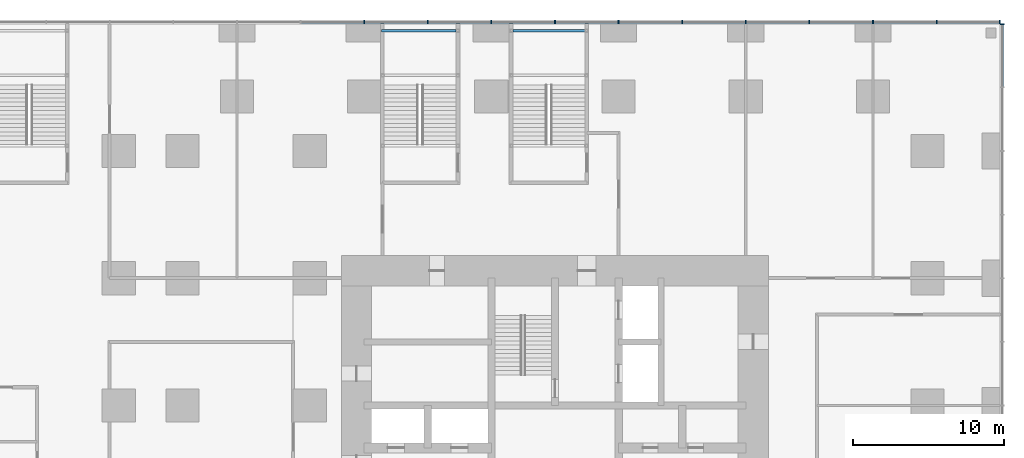
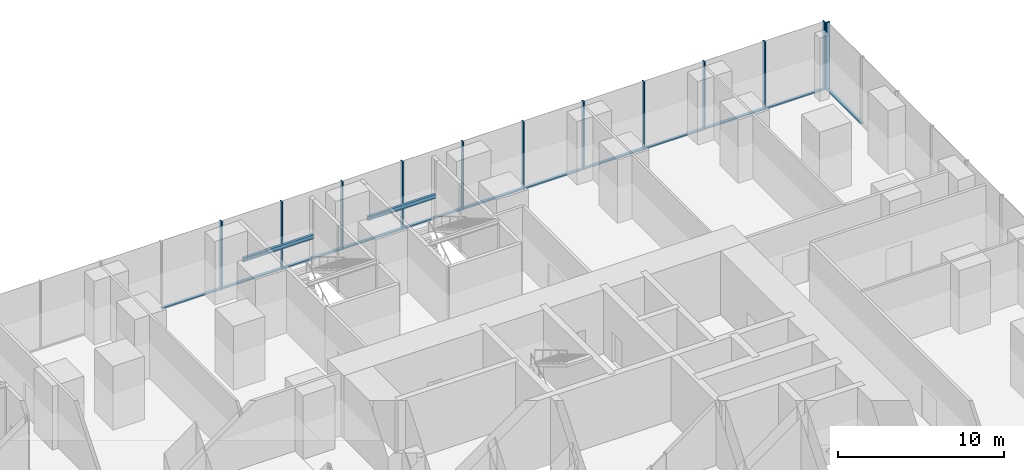
# One storey, part 22 of 33: 24 members, 2 beams, 2 elements without a shape of their own.
"""IFC4 building model written with IfcOpenShell, lengths in metres."""

from ifc_helpers import new_model, si_unit, direction, frame, origin, origin_2d, place, context, subcontext, project, spatial, rectangle, i_section, extrude, material, material_profile, profile_set, type_object, element, aggregate, save


model = new_model("IFC4")

# Units and contexts
model_context = context("Model", 3, precision=1e-05, world=origin(), true_north=direction((0.0, 1.0)))
body_context = subcontext(model_context, "Body", "Model", "MODEL_VIEW")
ifc_project = project(units=[si_unit("LENGTHUNIT", "METRE"), si_unit("AREAUNIT", "SQUARE_METRE"), si_unit("VOLUMEUNIT", "CUBIC_METRE"), si_unit("PLANEANGLEUNIT", "RADIAN"), si_unit("MASSUNIT", "GRAM", prefix="KILO")], contexts=[model_context])

# Site, building, storey
site_placement = place(None, origin())
site = spatial("IfcSite", under=ifc_project, at=site_placement, CompositionType="ELEMENT")
building_placement = place(site_placement, origin())
building = spatial("IfcBuilding", under=site, at=building_placement, Name="Dunama Terrace Hotel", CompositionType="ELEMENT")
storey_placement = place(building_placement, frame((0.0, 0.0, 12.0)))
storey = spatial("IfcBuildingStorey", under=building, at=storey_placement, Name="L02", CompositionType="ELEMENT", Elevation=12.0)

# Curtain wall, member
ifc_material_1 = material(Name="Aluminium curtain wall system", Category="aluminium")
curtain_wall_type = type_object("IfcCurtainWallType", Name="Podium storefront glazing CW-E", PredefinedType="NOTDEFINED", material=ifc_material_1)
curtain_wall_1_placement = place(storey_placement, origin())
curtain_wall_1 = element("IfcCurtainWall", 1, at=curtain_wall_1_placement, inside=storey, type_object=curtain_wall_type, Name="Podium storefront glazing CW-E L02", PredefinedType="NOTDEFINED")
ifc_material_2 = material(Name="Aluminium mullion", Category="aluminium")
ifc_material_profile_1 = material_profile(ifc_material_2, rectangle(XDim=0.080078125, YDim=0.25, at=origin_2d()), Name="CWE MULLION 80X250")
ifc_profile_set_1 = profile_set([ifc_material_profile_1], Name="Aluminium mullion")
member_type_1 = type_object("IfcMemberType", Name="CWE mullion 80x250", PredefinedType="MULLION", material=ifc_profile_set_1)
member_1_placement = place(storey_placement, frame((58.925048828125, 58.760009765625, 0.0), z_axis=(0.0, 0.0, 1.0), x_axis=(0.0, 1.0, 0.0)))
member_1 = element("IfcMember", 2, at=member_1_placement, type_object=member_type_1, Name="CWE mullion", PredefinedType="MULLION", context=body_context, shape_type="SweptSolid", body=[
    extrude(rectangle(XDim=0.080078125, YDim=0.25, at=origin_2d()), origin(), (0.0, 0.0, 1.0), 5.0),
])

# Curtain wall, members
curtain_wall_2_placement = place(storey_placement, origin())
curtain_wall_2 = element("IfcCurtainWall", 3, at=curtain_wall_2_placement, inside=storey, type_object=curtain_wall_type, Name="Podium storefront glazing CW-E L02", PredefinedType="NOTDEFINED")
member_2_placement = place(storey_placement, frame((58.760009765625, 58.925048828125, 0.0), z_axis=(0.0, 0.0, 1.0), x_axis=(-1.0, 0.0, 0.0)))
member_2 = element("IfcMember", 4, at=member_2_placement, type_object=member_type_1, Name="CWE mullion", PredefinedType="MULLION", context=body_context, shape_type="SweptSolid", body=[
    extrude(rectangle(XDim=0.080078125, YDim=0.25, at=origin_2d()), origin(), (0.0, 0.0, 1.0), 5.0),
])
member_3_placement = place(storey_placement, frame((54.60009765625, 58.925048828125, 0.0), z_axis=(0.0, 0.0, 1.0), x_axis=(-1.0, 0.0, 0.0)))
member_3 = element("IfcMember", 5, at=member_3_placement, type_object=member_type_1, Name="CWE mullion", PredefinedType="MULLION", context=body_context, shape_type="SweptSolid", body=[
    extrude(rectangle(XDim=0.080078125, YDim=0.25, at=origin_2d()), origin(), (0.0, 0.0, 1.0), 5.0),
])
member_4_placement = place(storey_placement, frame((50.39990234375, 58.925048828125, 0.0), z_axis=(0.0, 0.0, 1.0), x_axis=(-1.0, 0.0, 0.0)))
member_4 = element("IfcMember", 6, at=member_4_placement, type_object=member_type_1, Name="CWE mullion", PredefinedType="MULLION", context=body_context, shape_type="SweptSolid", body=[
    extrude(rectangle(XDim=0.080078125, YDim=0.25, at=origin_2d()), origin(), (0.0, 0.0, 1.0), 5.0),
])
member_5_placement = place(storey_placement, frame((46.199951171875, 58.925048828125, 0.0), z_axis=(0.0, 0.0, 1.0), x_axis=(-1.0, 0.0, 0.0)))
member_5 = element("IfcMember", 7, at=member_5_placement, type_object=member_type_1, Name="CWE mullion", PredefinedType="MULLION", context=body_context, shape_type="SweptSolid", body=[
    extrude(rectangle(XDim=0.080078125, YDim=0.25, at=origin_2d()), origin(), (0.0, 0.0, 1.0), 5.0),
])
member_6_placement = place(storey_placement, frame((42.0, 58.925048828125, 0.0), z_axis=(0.0, 0.0, 1.0), x_axis=(-1.0, 0.0, 0.0)))
member_6 = element("IfcMember", 8, at=member_6_placement, type_object=member_type_1, Name="CWE mullion", PredefinedType="MULLION", context=body_context, shape_type="SweptSolid", body=[
    extrude(rectangle(XDim=0.080078125, YDim=0.25, at=origin_2d()), origin(), (0.0, 0.0, 1.0), 5.0),
])
member_7_placement = place(storey_placement, frame((37.800048828125, 58.925048828125, 0.0), z_axis=(0.0, 0.0, 1.0), x_axis=(-1.0, 0.0, 0.0)))
member_7 = element("IfcMember", 9, at=member_7_placement, type_object=member_type_1, Name="CWE mullion", PredefinedType="MULLION", context=body_context, shape_type="SweptSolid", body=[
    extrude(rectangle(XDim=0.080078125, YDim=0.25, at=origin_2d()), origin(), (0.0, 0.0, 1.0), 5.0),
])
member_8_placement = place(storey_placement, frame((33.60009765625, 58.925048828125, 0.0), z_axis=(0.0, 0.0, 1.0), x_axis=(-1.0, 0.0, 0.0)))
member_8 = element("IfcMember", 10, at=member_8_placement, type_object=member_type_1, Name="CWE mullion", PredefinedType="MULLION", context=body_context, shape_type="SweptSolid", body=[
    extrude(rectangle(XDim=0.080078125, YDim=0.25, at=origin_2d()), origin(), (0.0, 0.0, 1.0), 5.0),
])
member_9_placement = place(storey_placement, frame((29.39990234375, 58.925048828125, 0.0), z_axis=(0.0, 0.0, 1.0), x_axis=(-1.0, 0.0, 0.0)))
member_9 = element("IfcMember", 11, at=member_9_placement, type_object=member_type_1, Name="CWE mullion", PredefinedType="MULLION", context=body_context, shape_type="SweptSolid", body=[
    extrude(rectangle(XDim=0.080078125, YDim=0.25, at=origin_2d()), origin(), (0.0, 0.0, 1.0), 5.0),
])
member_10_placement = place(storey_placement, frame((25.199951171875, 58.925048828125, 0.0), z_axis=(0.0, 0.0, 1.0), x_axis=(-1.0, 0.0, 0.0)))
member_10 = element("IfcMember", 12, at=member_10_placement, type_object=member_type_1, Name="CWE mullion", PredefinedType="MULLION", context=body_context, shape_type="SweptSolid", body=[
    extrude(rectangle(XDim=0.080078125, YDim=0.25, at=origin_2d()), origin(), (0.0, 0.0, 1.0), 5.0),
])
member_11_placement = place(storey_placement, frame((21.0, 58.925048828125, 0.0), z_axis=(0.0, 0.0, 1.0), x_axis=(-1.0, 0.0, 0.0)))
member_11 = element("IfcMember", 13, at=member_11_placement, type_object=member_type_1, Name="CWE mullion", PredefinedType="MULLION", context=body_context, shape_type="SweptSolid", body=[
    extrude(rectangle(XDim=0.080078125, YDim=0.25, at=origin_2d()), origin(), (0.0, 0.0, 1.0), 5.0),
])
member_12_placement = place(storey_placement, frame((16.800048828125, 58.925048828125, 0.0), z_axis=(0.0, 0.0, 1.0), x_axis=(-1.0, 0.0, 0.0)))
member_12 = element("IfcMember", 14, at=member_12_placement, type_object=member_type_1, Name="CWE mullion", PredefinedType="MULLION", context=body_context, shape_type="SweptSolid", body=[
    extrude(rectangle(XDim=0.080078125, YDim=0.25, at=origin_2d()), origin(), (0.0, 0.0, 1.0), 5.0),
])

# Member
ifc_material_3 = material(Name="Aluminium transom", Category="aluminium")
ifc_material_profile_2 = material_profile(ifc_material_3, rectangle(XDim=0.199951171875, YDim=0.090087890625, at=origin_2d()), Name="CWE TRANSOM 200X90")
ifc_profile_set_2 = profile_set([ifc_material_profile_2], Name="Aluminium transom")
member_type_2 = type_object("IfcMemberType", Name="CWE transom 200x90", PredefinedType="USERDEFINED", material=ifc_profile_set_2)
member_13_placement = place(storey_placement, frame((58.925048828125, 54.639892578125, 0.044921875), z_axis=(0.0, 1.0, 0.0), x_axis=(-1.0, 0.0, 0.0)))
member_13 = element("IfcMember", 15, at=member_13_placement, type_object=member_type_2, Name="CWE transom", ObjectType="TRANSOM", PredefinedType="USERDEFINED", context=body_context, shape_type="SweptSolid", body=[
    extrude(rectangle(XDim=0.199951171875, YDim=0.090087890625, at=origin_2d()), origin(), (0.0, 0.0, 1.0), 4.080078125),
])

aggregate(curtain_wall_1, [member_1, member_13])

member_14_placement = place(storey_placement, frame((58.719970703125, 58.925048828125, 0.044921875), z_axis=(-1.0, 0.0, 0.0), x_axis=(0.0, -1.0, 0.0)))
member_14 = element("IfcMember", 16, at=member_14_placement, type_object=member_type_2, Name="CWE transom", ObjectType="TRANSOM", PredefinedType="USERDEFINED", context=body_context, shape_type="SweptSolid", body=[
    extrude(rectangle(XDim=0.199951171875, YDim=0.090087890625, at=origin_2d()), origin(), (0.0, 0.0, 1.0), 4.080078125),
])

member_15_placement = place(storey_placement, frame((54.56005859375, 58.925048828125, 0.044921875), z_axis=(-1.0, 0.0, 0.0), x_axis=(0.0, -1.0, 0.0)))
member_15 = element("IfcMember", 17, at=member_15_placement, type_object=member_type_2, Name="CWE transom", ObjectType="TRANSOM", PredefinedType="USERDEFINED", context=body_context, shape_type="SweptSolid", body=[
    extrude(rectangle(XDim=0.199951171875, YDim=0.090087890625, at=origin_2d()), origin(), (0.0, 0.0, 1.0), 4.1201171875),
])

member_16_placement = place(storey_placement, frame((50.360107421875, 58.925048828125, 0.044921875), z_axis=(-1.0, 0.0, 0.0), x_axis=(0.0, -1.0, 0.0)))
member_16 = element("IfcMember", 18, at=member_16_placement, type_object=member_type_2, Name="CWE transom", ObjectType="TRANSOM", PredefinedType="USERDEFINED", context=body_context, shape_type="SweptSolid", body=[
    extrude(rectangle(XDim=0.199951171875, YDim=0.090087890625, at=origin_2d()), origin(), (0.0, 0.0, 1.0), 4.1201171875),
])

member_17_placement = place(storey_placement, frame((46.159912109375, 58.925048828125, 0.044921875), z_axis=(-1.0, 0.0, 0.0), x_axis=(0.0, -1.0, 0.0)))
member_17 = element("IfcMember", 19, at=member_17_placement, type_object=member_type_2, Name="CWE transom", ObjectType="TRANSOM", PredefinedType="USERDEFINED", context=body_context, shape_type="SweptSolid", body=[
    extrude(rectangle(XDim=0.199951171875, YDim=0.090087890625, at=origin_2d()), origin(), (0.0, 0.0, 1.0), 4.119873046875),
])

member_18_placement = place(storey_placement, frame((41.9599609375, 58.925048828125, 0.044921875), z_axis=(-1.0, 0.0, 0.0), x_axis=(0.0, -1.0, 0.0)))
member_18 = element("IfcMember", 20, at=member_18_placement, type_object=member_type_2, Name="CWE transom", ObjectType="TRANSOM", PredefinedType="USERDEFINED", context=body_context, shape_type="SweptSolid", body=[
    extrude(rectangle(XDim=0.199951171875, YDim=0.090087890625, at=origin_2d()), origin(), (0.0, 0.0, 1.0), 4.119873046875),
])

member_19_placement = place(storey_placement, frame((37.760009765625, 58.925048828125, 0.044921875), z_axis=(-1.0, 0.0, 0.0), x_axis=(0.0, -1.0, 0.0)))
member_19 = element("IfcMember", 21, at=member_19_placement, type_object=member_type_2, Name="CWE transom", ObjectType="TRANSOM", PredefinedType="USERDEFINED", context=body_context, shape_type="SweptSolid", body=[
    extrude(rectangle(XDim=0.199951171875, YDim=0.090087890625, at=origin_2d()), origin(), (0.0, 0.0, 1.0), 4.1201171875),
])

member_20_placement = place(storey_placement, frame((33.56005859375, 58.925048828125, 0.044921875), z_axis=(-1.0, 0.0, 0.0), x_axis=(0.0, -1.0, 0.0)))
member_20 = element("IfcMember", 22, at=member_20_placement, type_object=member_type_2, Name="CWE transom", ObjectType="TRANSOM", PredefinedType="USERDEFINED", context=body_context, shape_type="SweptSolid", body=[
    extrude(rectangle(XDim=0.199951171875, YDim=0.090087890625, at=origin_2d()), origin(), (0.0, 0.0, 1.0), 4.1201171875),
])

member_21_placement = place(storey_placement, frame((29.360107421875, 58.925048828125, 0.044921875), z_axis=(-1.0, 0.0, 0.0), x_axis=(0.0, -1.0, 0.0)))
member_21 = element("IfcMember", 23, at=member_21_placement, type_object=member_type_2, Name="CWE transom", ObjectType="TRANSOM", PredefinedType="USERDEFINED", context=body_context, shape_type="SweptSolid", body=[
    extrude(rectangle(XDim=0.199951171875, YDim=0.090087890625, at=origin_2d()), origin(), (0.0, 0.0, 1.0), 4.1201171875),
])

member_22_placement = place(storey_placement, frame((25.159912109375, 58.925048828125, 0.044921875), z_axis=(-1.0, 0.0, 0.0), x_axis=(0.0, -1.0, 0.0)))
member_22 = element("IfcMember", 24, at=member_22_placement, type_object=member_type_2, Name="CWE transom", ObjectType="TRANSOM", PredefinedType="USERDEFINED", context=body_context, shape_type="SweptSolid", body=[
    extrude(rectangle(XDim=0.199951171875, YDim=0.090087890625, at=origin_2d()), origin(), (0.0, 0.0, 1.0), 4.119873046875),
])

member_23_placement = place(storey_placement, frame((20.9599609375, 58.925048828125, 0.044921875), z_axis=(-1.0, 0.0, 0.0), x_axis=(0.0, -1.0, 0.0)))
member_23 = element("IfcMember", 25, at=member_23_placement, type_object=member_type_2, Name="CWE transom", ObjectType="TRANSOM", PredefinedType="USERDEFINED", context=body_context, shape_type="SweptSolid", body=[
    extrude(rectangle(XDim=0.199951171875, YDim=0.090087890625, at=origin_2d()), origin(), (0.0, 0.0, 1.0), 4.119873046875),
])

member_24_placement = place(storey_placement, frame((16.760009765625, 58.925048828125, 0.044921875), z_axis=(-1.0, 0.0, 0.0), x_axis=(0.0, -1.0, 0.0)))
member_24 = element("IfcMember", 26, at=member_24_placement, type_object=member_type_2, Name="CWE transom", ObjectType="TRANSOM", PredefinedType="USERDEFINED", context=body_context, shape_type="SweptSolid", body=[
    extrude(rectangle(XDim=0.199951171875, YDim=0.090087890625, at=origin_2d()), origin(), (0.0, 0.0, 1.0), 4.1201171875),
])

aggregate(curtain_wall_2, [member_2, member_3, member_4, member_5, member_6, member_7, member_8, member_9, member_10, member_11, member_12, member_14, member_15, member_16, member_17, member_18, member_19, member_20, member_21, member_22, member_23, member_24])

# Beams
ifc_material_4 = material(Name="Steel S355", Category="steel")
ifc_material_profile_3 = material_profile(ifc_material_4, i_section(OverallWidth=0.1650390625, OverallDepth=0.303466796875, WebThickness=0.006103515625, FlangeThickness=0.01025390625, FilletRadius=0.0087890625, at=origin_2d()), Name="UB 305x165x40")
ifc_profile_set_3 = profile_set([ifc_material_profile_3], Name="Steel S355")
beam_type = type_object("IfcBeamType", Name="Stair beam UB 305x165x40", PredefinedType="BEAM", material=ifc_profile_set_3)
beam_1_placement = place(storey_placement, frame((17.949951171875, 58.35009765625, 2.098388671875), z_axis=(1.0, 0.0, 0.0), x_axis=(0.0, 1.0, 0.0)))
element("IfcBeam", 27, at=beam_1_placement, inside=storey, type_object=beam_type, Name="Stair landing beam P5 L02 far", PredefinedType="BEAM", context=body_context, shape_type="SweptSolid", body=[
    extrude(i_section(OverallWidth=0.1650390625, OverallDepth=0.303466796875, WebThickness=0.006103515625, FlangeThickness=0.01025390625, FilletRadius=0.0087890625, at=origin_2d()), origin(), (0.0, 0.0, 1.0), 4.925048828125),
])
beam_2_placement = place(storey_placement, frame((26.625, 58.35009765625, 2.098388671875), z_axis=(1.0, 0.0, 0.0), x_axis=(0.0, 1.0, 0.0)))
element("IfcBeam", 28, at=beam_2_placement, inside=storey, type_object=beam_type, Name="Stair landing beam P6 L02 far", PredefinedType="BEAM", context=body_context, shape_type="SweptSolid", body=[
    extrude(i_section(OverallWidth=0.1650390625, OverallDepth=0.303466796875, WebThickness=0.006103515625, FlangeThickness=0.01025390625, FilletRadius=0.0087890625, at=origin_2d()), origin(), (0.0, 0.0, 1.0), 4.75),
])

save(model, "model.ifc")
